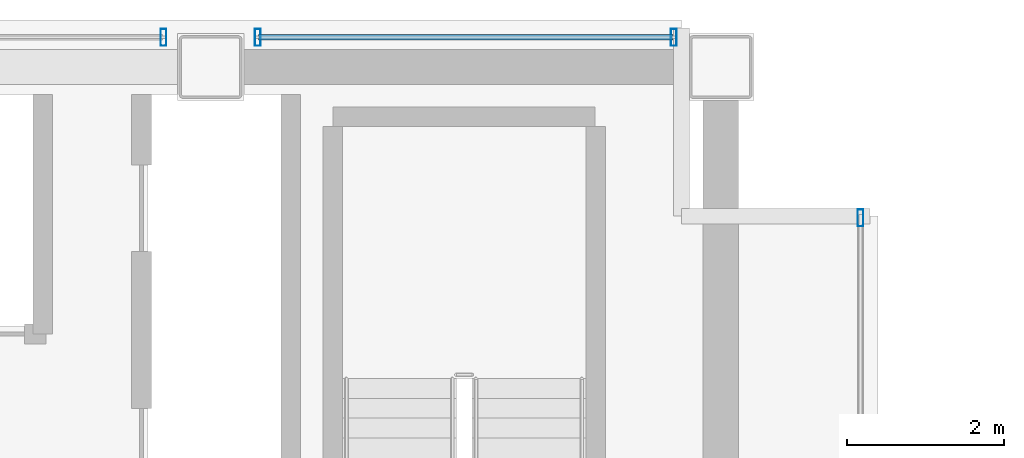
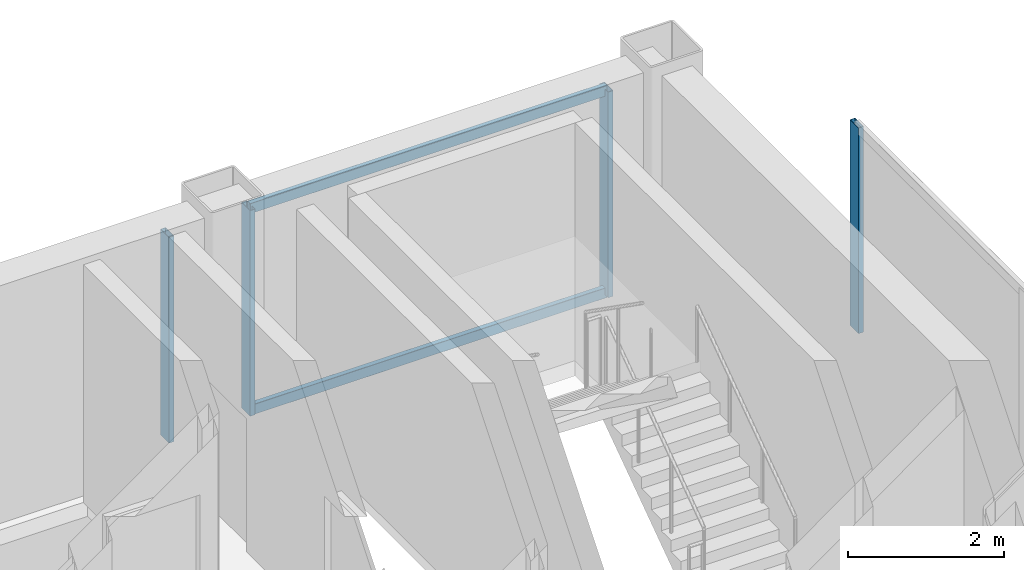
# One storey, part 18 of 22: 6 members, 3 elements without a shape of their own.
"""IFC4 building model written with IfcOpenShell, lengths in metres."""

from ifc_helpers import new_model, si_unit, direction, frame, origin, origin_2d, place, context, subcontext, project, spatial, hollow_rectangle, extrude, material, material_profile, profile_set, type_object, element, aggregate, save


model = new_model("IFC4")

# Units and contexts
model_context = context("Model", 3, precision=1e-05, world=origin(), true_north=direction((0.0, 1.0)))
body_context = subcontext(model_context, "Body", "Model", "MODEL_VIEW")
ifc_project = project(units=[si_unit("LENGTHUNIT", "METRE"), si_unit("AREAUNIT", "SQUARE_METRE"), si_unit("VOLUMEUNIT", "CUBIC_METRE"), si_unit("PLANEANGLEUNIT", "RADIAN"), si_unit("MASSUNIT", "GRAM", prefix="KILO")], contexts=[model_context])

# Site, building, storey
site_placement = place(None, origin())
site = spatial("IfcSite", under=ifc_project, at=site_placement, CompositionType="ELEMENT")
building_placement = place(site_placement, origin())
building = spatial("IfcBuilding", under=site, at=building_placement, Name="Noeulbin Bourse Tower", CompositionType="ELEMENT")
storey_placement = place(building_placement, frame((0.0, 0.0, 230.60009765625)))
storey = spatial("IfcBuildingStorey", under=building, at=storey_placement, Name="L57", CompositionType="ELEMENT", Elevation=230.60009765625)

# Curtain wall, member
ifc_material_1 = material(Name="High-Selectivity Low-Iron Glazing", Category="glass")
curtain_wall_type = type_object("IfcCurtainWallType", Name="CW-SYS-4", PredefinedType="NOTDEFINED", material=ifc_material_1)
curtain_wall_1_placement = place(storey_placement, origin())
curtain_wall_1 = element("IfcCurtainWall", 1, at=curtain_wall_1_placement, inside=storey, type_object=curtain_wall_type, Name="Unitised Curtain Wall CW-L57-N-S5", PredefinedType="NOTDEFINED")
ifc_material_2 = material(Name="Anodised Aluminium 6063-T6", Category="aluminium")
ifc_material_profile_1 = material_profile(ifc_material_2, hollow_rectangle(XDim=0.074951171875, YDim=0.219970703125, WallThickness=0.0048828125, InnerFilletRadius=0.00244140625, OuterFilletRadius=0.0048828125, at=origin_2d()), Name="ALU-MULL-75x220x5", Category="LoadBearing")
ifc_profile_set_1 = profile_set([ifc_material_profile_1], Name="Anodised Aluminium 6063-T6")
member_type_1 = type_object("IfcMemberType", Name="CW-SYS-4-MUL", PredefinedType="MULLION", material=ifc_profile_set_1)
member_1_placement = place(storey_placement, frame((36.89990234375, 38.679931640625, -0.02001953125), z_axis=(0.0, 0.0, 1.0), x_axis=(1.0, 0.0, 0.0)))
member_1 = element("IfcMember", 2, at=member_1_placement, type_object=member_type_1, Name="Curtain Wall Mullion CW-L57-N-S5-M01", PredefinedType="MULLION", context=body_context, shape_type="SweptSolid", body=[
    extrude(hollow_rectangle(XDim=0.074951171875, YDim=0.219970703125, WallThickness=0.0048828125, InnerFilletRadius=0.00244140625, OuterFilletRadius=0.0048828125, at=origin_2d()), origin(), (0.0, 0.0, 1.0), 3.219970703125),
])
aggregate(curtain_wall_1, [member_1])

# Curtain wall, members
curtain_wall_2_placement = place(storey_placement, origin())
curtain_wall_2 = element("IfcCurtainWall", 3, at=curtain_wall_2_placement, inside=storey, type_object=curtain_wall_type, Name="Unitised Curtain Wall CW-L57-N-S6", PredefinedType="NOTDEFINED")
member_2_placement = place(storey_placement, frame((38.10009765625, 38.679931640625, -0.02001953125), z_axis=(0.0, 0.0, 1.0), x_axis=(1.0, 0.0, 0.0)))
member_2 = element("IfcMember", 4, at=member_2_placement, type_object=member_type_1, Name="Curtain Wall Mullion CW-L57-N-S6-M00", PredefinedType="MULLION", context=body_context, shape_type="SweptSolid", body=[
    extrude(hollow_rectangle(XDim=0.074951171875, YDim=0.219970703125, WallThickness=0.0048828125, InnerFilletRadius=0.00244140625, OuterFilletRadius=0.0048828125, at=origin_2d()), origin(), (0.0, 0.0, 1.0), 3.219970703125),
])
member_3_placement = place(storey_placement, frame((43.39990234375, 38.679931640625, -0.02001953125), z_axis=(0.0, 0.0, 1.0), x_axis=(1.0, 0.0, 0.0)))
member_3 = element("IfcMember", 5, at=member_3_placement, type_object=member_type_1, Name="Curtain Wall Mullion CW-L57-N-S6-M01", PredefinedType="MULLION", context=body_context, shape_type="SweptSolid", body=[
    extrude(hollow_rectangle(XDim=0.074951171875, YDim=0.219970703125, WallThickness=0.0048828125, InnerFilletRadius=0.00244140625, OuterFilletRadius=0.0048828125, at=origin_2d()), origin(), (0.0, 0.0, 1.0), 3.219970703125),
])

# Curtain wall, member
curtain_wall_3_placement = place(storey_placement, origin())
curtain_wall_3 = element("IfcCurtainWall", 6, at=curtain_wall_3_placement, inside=storey, type_object=curtain_wall_type, Name="Unitised Curtain Wall CW-L57-E", PredefinedType="NOTDEFINED")
member_4_placement = place(storey_placement, frame((45.780029296875, 36.3798828125, -0.02001953125), z_axis=(0.0, 0.0, 1.0), x_axis=(1.0, 0.0, 0.0)))
member_4 = element("IfcMember", 7, at=member_4_placement, type_object=member_type_1, Name="Curtain Wall Mullion CW-L57-E-M05", PredefinedType="MULLION", context=body_context, shape_type="SweptSolid", body=[
    extrude(hollow_rectangle(XDim=0.074951171875, YDim=0.219970703125, WallThickness=0.0048828125, InnerFilletRadius=0.00244140625, OuterFilletRadius=0.0048828125, at=origin_2d()), origin(), (0.0, 0.0, 1.0), 3.219970703125),
])
aggregate(curtain_wall_3, [member_4])

# Member
ifc_material_profile_2 = material_profile(ifc_material_2, hollow_rectangle(XDim=0.074951171875, YDim=0.159912109375, WallThickness=0.0048828125, InnerFilletRadius=0.00244140625, OuterFilletRadius=0.0048828125, at=origin_2d()), Name="ALU-TRAN-75x160x5", Category="LoadBearing")
ifc_profile_set_2 = profile_set([ifc_material_profile_2], Name="Anodised Aluminium 6063-T6")
member_type_2 = type_object("IfcMemberType", Name="CW-SYS-4-TRN", PredefinedType="USERDEFINED", material=ifc_profile_set_2)
member_5_placement = place(storey_placement, frame((38.110107421875, 38.679931640625, 0.010009765625), z_axis=(1.0, 0.0, 0.0), x_axis=(0.0, 1.0, 0.0)))
member_5 = element("IfcMember", 8, at=member_5_placement, type_object=member_type_2, Name="Curtain Wall Transom CW-L57-N-S6-T00", ObjectType="TRANSOM", PredefinedType="USERDEFINED", context=body_context, shape_type="SweptSolid", body=[
    extrude(hollow_rectangle(XDim=0.074951171875, YDim=0.159912109375, WallThickness=0.0048828125, InnerFilletRadius=0.00244140625, OuterFilletRadius=0.0048828125, at=origin_2d()), origin(), (0.0, 0.0, 1.0), 5.27978515625),
])

member_6_placement = place(storey_placement, frame((38.110107421875, 38.679931640625, 3.169921875), z_axis=(1.0, 0.0, 0.0), x_axis=(0.0, 1.0, 0.0)))
member_6 = element("IfcMember", 9, at=member_6_placement, type_object=member_type_2, Name="Curtain Wall Transom CW-L57-N-S6-T01", ObjectType="TRANSOM", PredefinedType="USERDEFINED", context=body_context, shape_type="SweptSolid", body=[
    extrude(hollow_rectangle(XDim=0.074951171875, YDim=0.159912109375, WallThickness=0.0048828125, InnerFilletRadius=0.00244140625, OuterFilletRadius=0.0048828125, at=origin_2d()), origin(), (0.0, 0.0, 1.0), 5.27978515625),
])

aggregate(curtain_wall_2, [member_2, member_3, member_5, member_6])

save(model, "model.ifc")
